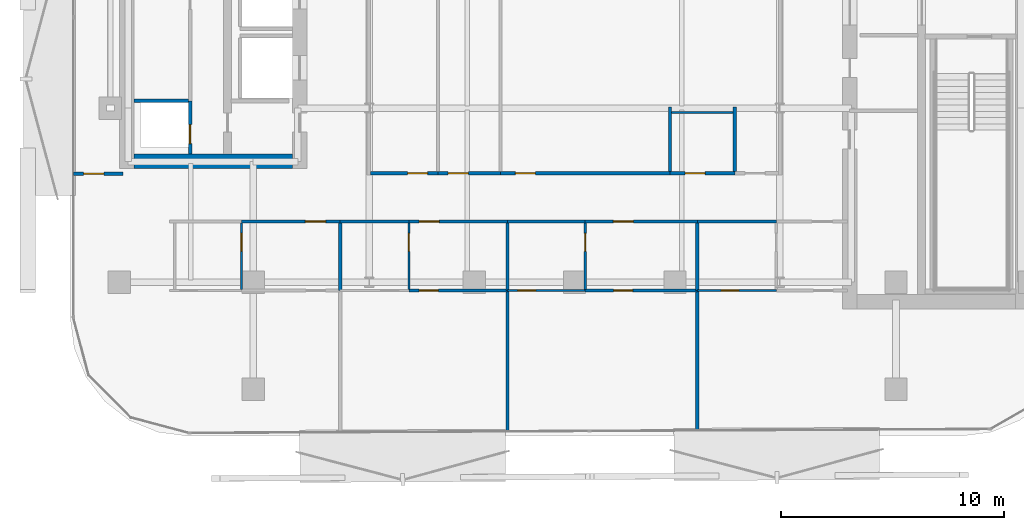
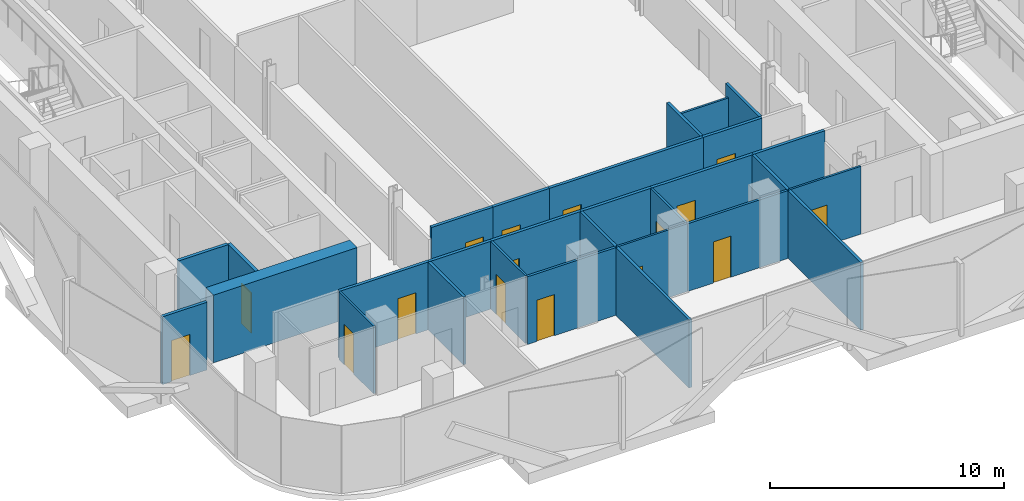
# One storey, part 3 of 17: 29 walls, 16 doors, 16 openings.
"""IFC4 building model written with IfcOpenShell, lengths in metres."""

from ifc_helpers import new_model, si_unit, direction, frame, frame_2d, origin, place, context, subcontext, project, spatial, rectangle, extrude, material, layer, layer_set, type_object, element, fill, save


model = new_model("IFC4")

# Units and contexts
model_context = context("Model", 3, precision=1e-05, world=origin(), true_north=direction((0.0, 1.0)))
body_context = subcontext(model_context, "Body", "Model", "MODEL_VIEW")
ifc_project = project(units=[si_unit("LENGTHUNIT", "METRE"), si_unit("AREAUNIT", "SQUARE_METRE"), si_unit("VOLUMEUNIT", "CUBIC_METRE"), si_unit("PLANEANGLEUNIT", "RADIAN"), si_unit("MASSUNIT", "GRAM", prefix="KILO")], contexts=[model_context])

# Site, building, storey
site_placement = place(None, origin())
site = spatial("IfcSite", under=ifc_project, at=site_placement, CompositionType="ELEMENT")
building_placement = place(site_placement, origin())
building = spatial("IfcBuilding", under=site, at=building_placement, Name="Khairoan Windgate Tower", CompositionType="ELEMENT")
storey_placement = place(building_placement, frame((0.0, 0.0, 191.60009765625)))
storey = spatial("IfcBuildingStorey", under=building, at=storey_placement, Name="L44", CompositionType="ELEMENT", Elevation=191.60009765625)

# Wall, opening, door
ifc_material_1 = material(Name="Moisture-Resistant Gypsum Partition", Category="gypsum")
ifc_layer_1 = layer(ifc_material_1, 0.10009765625, Name="Moisture-Resistant Gypsum Partition")
ifc_layer_set_1 = layer_set([ifc_layer_1], Name="Moisture-Resistant Gypsum Partition")
wall_type_1 = type_object("IfcWallType", Name="Bathroom Wet-Area Partition Wall", PredefinedType="PARTITIONING", material=ifc_layer_set_1)
wall_1_placement = place(storey_placement, frame((-14.924072265625, -18.919921875, 0.0), z_axis=(0.0, 0.0, 1.0), x_axis=(0.0, 1.0, 0.0)))
wall_1 = element("IfcWall", 1, at=wall_1_placement, inside=storey, type_object=wall_type_1, Name="L44 Interior Partition 077", PredefinedType="PARTITIONING", context=body_context, shape_type="SweptSolid", body=[
    extrude(rectangle(XDim=2.96484375, YDim=0.10009765625, at=frame_2d((1.482421875, 0.0))), origin(), (0.0, 0.0, 1.0), 3.539794921875),
])
opening_1_placement = place(wall_1_placement, frame((1.705078125, 0.0, 0.0)))
opening_1 = element("IfcOpeningElement", 2, at=opening_1_placement, cuts=wall_1, Name="Opening ID-BTH", PredefinedType="OPENING", context=body_context, shape_type="SweptSolid", body=[
    extrude(rectangle(XDim=0.800048828125, YDim=2.10009765625, at=frame_2d((0.39990234375, 1.050048828125))), frame((0.0, 0.06005859375, 0.0), z_axis=(0.0, -1.0, 0.0), x_axis=(1.0, 0.0, 0.0)), (0.0, 0.0, 1.0), 0.1201171875),
])
ifc_material_2 = material(Name="Teak Veneer Timber Leaf", Category="wood")
door_type_1 = type_object("IfcDoorType", Name="Internal Bathroom Door ID-BTH 800x2100", OperationType="NOTDEFINED", PredefinedType="DOOR", material=ifc_material_2)
door_1_placement = place(opening_1_placement, origin())
door_1 = element("IfcDoor", 3, at=door_1_placement, inside=storey, type_object=door_type_1, Name="L44 L44-54-L44-55 Door", OperationType="SINGLE_SWING_LEFT", OverallHeight=2.10009765625, OverallWidth=0.800048828125, PredefinedType="DOOR", context=body_context, shape_type="SweptSolid", body=[
    extrude(rectangle(XDim=0.800048828125, YDim=2.10009765625, at=frame_2d((0.39990234375, 1.050048828125))), frame((0.0, 0.02490234375, 0.0), z_axis=(0.0, -1.0, 0.0), x_axis=(1.0, 0.0, 0.0)), (0.0, 0.0, 1.0), 0.050048828125),
])
fill(opening_1, door_1)

wall_2_placement = place(storey_placement, frame((-7.424072265625, -18.919921875, 0.0), z_axis=(0.0, 0.0, 1.0), x_axis=(0.0, 1.0, 0.0)))
wall_2 = element("IfcWall", 4, at=wall_2_placement, inside=storey, type_object=wall_type_1, Name="L44 Interior Partition 082", PredefinedType="PARTITIONING", context=body_context, shape_type="SweptSolid", body=[
    extrude(rectangle(XDim=2.96484375, YDim=0.10009765625, at=frame_2d((1.482421875, 0.0))), origin(), (0.0, 0.0, 1.0), 3.539794921875),
])
opening_2_placement = place(wall_2_placement, frame((1.705078125, 0.0, 0.0)))
opening_2 = element("IfcOpeningElement", 5, at=opening_2_placement, cuts=wall_2, Name="Opening ID-BTH", PredefinedType="OPENING", context=body_context, shape_type="SweptSolid", body=[
    extrude(rectangle(XDim=0.800048828125, YDim=2.10009765625, at=frame_2d((0.39990234375, 1.050048828125))), frame((0.0, 0.06005859375, 0.0), z_axis=(0.0, -1.0, 0.0), x_axis=(1.0, 0.0, 0.0)), (0.0, 0.0, 1.0), 0.1201171875),
])
door_2_placement = place(opening_2_placement, origin())
door_2 = element("IfcDoor", 6, at=door_2_placement, inside=storey, type_object=door_type_1, Name="L44 L44-57-L44-58 Door", OperationType="SINGLE_SWING_RIGHT", OverallHeight=2.10009765625, OverallWidth=0.800048828125, PredefinedType="DOOR", context=body_context, shape_type="SweptSolid", body=[
    extrude(rectangle(XDim=0.800048828125, YDim=2.10009765625, at=frame_2d((0.39990234375, 1.050048828125))), frame((0.0, 0.02490234375, 0.0), z_axis=(0.0, -1.0, 0.0), x_axis=(1.0, 0.0, 0.0)), (0.0, 0.0, 1.0), 0.050048828125),
])
fill(opening_2, door_2)

wall_3_placement = place(storey_placement, frame((0.47607421875, -18.919921875, 0.0), z_axis=(0.0, 0.0, 1.0), x_axis=(0.0, 1.0, 0.0)))
wall_3 = element("IfcWall", 7, at=wall_3_placement, inside=storey, type_object=wall_type_1, Name="L44 Interior Partition 087", PredefinedType="PARTITIONING", context=body_context, shape_type="SweptSolid", body=[
    extrude(rectangle(XDim=2.96484375, YDim=0.10009765625, at=frame_2d((1.482421875, 0.0))), origin(), (0.0, 0.0, 1.0), 3.539794921875),
])
opening_3_placement = place(wall_3_placement, frame((1.705078125, 0.0, 0.0)))
opening_3 = element("IfcOpeningElement", 8, at=opening_3_placement, cuts=wall_3, Name="Opening ID-BTH", PredefinedType="OPENING", context=body_context, shape_type="SweptSolid", body=[
    extrude(rectangle(XDim=0.800048828125, YDim=2.10009765625, at=frame_2d((0.39990234375, 1.050048828125))), frame((0.0, 0.06005859375, 0.0), z_axis=(0.0, -1.0, 0.0), x_axis=(1.0, 0.0, 0.0)), (0.0, 0.0, 1.0), 0.1201171875),
])
door_3_placement = place(opening_3_placement, origin())
door_3 = element("IfcDoor", 9, at=door_3_placement, inside=storey, type_object=door_type_1, Name="L44 L44-60-L44-61 Door", OperationType="SINGLE_SWING_LEFT", OverallHeight=2.10009765625, OverallWidth=0.800048828125, PredefinedType="DOOR", context=body_context, shape_type="SweptSolid", body=[
    extrude(rectangle(XDim=0.800048828125, YDim=2.10009765625, at=frame_2d((0.39990234375, 1.050048828125))), frame((0.0, 0.02490234375, 0.0), z_axis=(0.0, -1.0, 0.0), x_axis=(1.0, 0.0, 0.0)), (0.0, 0.0, 1.0), 0.050048828125),
])
fill(opening_3, door_3)

wall_4_placement = place(storey_placement, frame((-3.0, -18.969970703125, 0.0), z_axis=(0.0, 0.0, 1.0), x_axis=(1.0, 0.0, 0.0)))
wall_4 = element("IfcWall", 10, at=wall_4_placement, inside=storey, type_object=wall_type_1, Name="L44 Interior Partition 088", PredefinedType="PARTITIONING", context=body_context, shape_type="SweptSolid", body=[
    extrude(rectangle(XDim=3.47607421875, YDim=0.10009765625, at=frame_2d((1.738037109375, 0.0))), origin(), (0.0, 0.0, 1.0), 3.539794921875),
])
opening_4_placement = place(wall_4_placement, frame((0.4599609375, 0.0, 0.0)))
opening_4 = element("IfcOpeningElement", 11, at=opening_4_placement, cuts=wall_4, Name="Opening ID-BTH", PredefinedType="OPENING", context=body_context, shape_type="SweptSolid", body=[
    extrude(rectangle(XDim=0.800048828125, YDim=2.10009765625, at=frame_2d((0.39990234375, 1.050048828125))), frame((0.0, 0.06005859375, 0.0), z_axis=(0.0, -1.0, 0.0), x_axis=(1.0, 0.0, 0.0)), (0.0, 0.0, 1.0), 0.1201171875),
])
door_4_placement = place(opening_4_placement, origin())
door_4 = element("IfcDoor", 12, at=door_4_placement, inside=storey, type_object=door_type_1, Name="L44 L44-60-L44-62 Door", OperationType="SINGLE_SWING_RIGHT", OverallHeight=2.10009765625, OverallWidth=0.800048828125, PredefinedType="DOOR", context=body_context, shape_type="SweptSolid", body=[
    extrude(rectangle(XDim=0.800048828125, YDim=2.10009765625, at=frame_2d((0.39990234375, 1.050048828125))), frame((0.0, 0.02490234375, 0.0), z_axis=(0.0, -1.0, 0.0), x_axis=(1.0, 0.0, 0.0)), (0.0, 0.0, 1.0), 0.050048828125),
])
fill(opening_4, door_4)

wall_5_placement = place(storey_placement, frame((5.5, -18.969970703125, 0.0), z_axis=(0.0, 0.0, 1.0), x_axis=(1.0, 0.0, 0.0)))
wall_5 = element("IfcWall", 13, at=wall_5_placement, inside=storey, type_object=wall_type_1, Name="L44 Interior Partition 093", PredefinedType="PARTITIONING", context=body_context, shape_type="SweptSolid", body=[
    extrude(rectangle(XDim=3.5400390625, YDim=0.10009765625, at=frame_2d((1.77001953125, 0.0))), origin(), (0.0, 0.0, 1.0), 3.539794921875),
])
opening_5_placement = place(wall_5_placement, frame((1.066650390625, 0.0, 0.0)))
opening_5 = element("IfcOpeningElement", 14, at=opening_5_placement, cuts=wall_5, Name="Opening ID-BTH", PredefinedType="OPENING", context=body_context, shape_type="SweptSolid", body=[
    extrude(rectangle(XDim=0.800048828125, YDim=2.10009765625, at=frame_2d((0.39990234375, 1.050048828125))), frame((0.0, 0.06005859375, 0.0), z_axis=(0.0, -1.0, 0.0), x_axis=(1.0, 0.0, 0.0)), (0.0, 0.0, 1.0), 0.1201171875),
])
door_5_placement = place(opening_5_placement, origin())
door_5 = element("IfcDoor", 15, at=door_5_placement, inside=storey, type_object=door_type_1, Name="L44 L44-63-L44-65 Door", OperationType="SINGLE_SWING_LEFT", OverallHeight=2.10009765625, OverallWidth=0.800048828125, PredefinedType="DOOR", context=body_context, shape_type="SweptSolid", body=[
    extrude(rectangle(XDim=0.800048828125, YDim=2.10009765625, at=frame_2d((0.39990234375, 1.050048828125))), frame((0.0, 0.02490234375, 0.0), z_axis=(0.0, -1.0, 0.0), x_axis=(1.0, 0.0, 0.0)), (0.0, 0.0, 1.0), 0.050048828125),
])
fill(opening_5, door_5)

# Walls
wall_6_placement = place(storey_placement, frame((4.35009765625, -11.0, 0.0), z_axis=(0.0, 0.0, 1.0), x_axis=(1.0, 0.0, 0.0)))
element("IfcWall", 16, at=wall_6_placement, inside=storey, type_object=wall_type_1, Name="L44 Wet Room Side Wall 097", PredefinedType="PARTITIONING", context=body_context, shape_type="SweptSolid", body=[
    extrude(rectangle(XDim=2.760009765625, YDim=0.10009765625, at=frame_2d((1.3798828125, 0.0))), origin(), (0.0, 0.0, 1.0), 2.951904296875),
])
ifc_material_3 = material(Name="Acoustic Fire-Rated Gypsum Partition", Category="gypsum")
ifc_layer_2 = layer(ifc_material_3, 0.139892578125, Name="Acoustic Fire-Rated Gypsum Partition")
ifc_layer_set_2 = layer_set([ifc_layer_2], Name="Acoustic Fire-Rated Gypsum Partition")
wall_type_2 = type_object("IfcWallType", Name="Inter-Tenancy Compartment Wall", PredefinedType="PARTITIONING", material=ifc_layer_set_2)
for number, where, z_axis, x_axis, name in (
    (17, (4.280029296875, -13.64501953125, 0.0), (0.0, 0.0, 1.0), (0.0, 1.0, 0.0), "L44 Interior Partition 048"),
    (18, (7.179931640625, -13.64501953125, 0.0), (0.0, 0.0, 1.0), (0.0, 1.0, 0.0), "L44 Interior Partition 051"),
):
    element("IfcWall", number, at=place(storey_placement, frame(where, z_axis=z_axis, x_axis=x_axis)), inside=storey, type_object=wall_type_2, Name=name, PredefinedType="PARTITIONING", context=body_context, shape_type="SweptSolid", body=[
        extrude(rectangle(XDim=2.885009765625, YDim=0.139892578125, at=frame_2d((1.4423828125, 0.0))), origin(), (0.0, 0.0, 1.0), 3.539794921875),
    ])
for number, where, z_axis, x_axis, name in (
    (19, (-10.5, -18.969970703125, 0.0), (0.0, 0.0, 1.0), (0.0, 1.0, 0.0), "L44 Interior Partition 080"),
    (20, (-3.0, -18.969970703125, 0.0), (0.0, 0.0, 1.0), (0.0, 1.0, 0.0), "L44 Interior Partition 085"),
):
    element("IfcWall", number, at=place(storey_placement, frame(where, z_axis=z_axis, x_axis=x_axis)), inside=storey, type_object=wall_type_2, Name=name, PredefinedType="PARTITIONING", context=body_context, shape_type="SweptSolid", body=[
        extrude(rectangle(XDim=3.014892578125, YDim=0.139892578125, at=frame_2d((1.50732421875, 0.0))), origin(), (0.0, 0.0, 1.0), 3.539794921875),
    ])
wall_7_placement = place(storey_placement, frame((-3.0, -25.28466796875, 0.0), z_axis=(0.0, 0.0, 1.0), x_axis=(0.0, 1.0, 0.0)))
element("IfcWall", 21, at=wall_7_placement, inside=storey, type_object=wall_type_2, Name="L44 Interior Partition 086", PredefinedType="PARTITIONING", context=body_context, shape_type="SweptSolid", body=[
    extrude(rectangle(XDim=6.314697265625, YDim=0.139892578125, at=frame_2d((3.1572265625, 0.0))), origin(), (0.0, 0.0, 1.0), 3.539794921875),
])
wall_8_placement = place(storey_placement, frame((5.5, -18.969970703125, 0.0), z_axis=(0.0, 0.0, 1.0), x_axis=(0.0, 1.0, 0.0)))
element("IfcWall", 22, at=wall_8_placement, inside=storey, type_object=wall_type_2, Name="L44 Interior Partition 090", PredefinedType="PARTITIONING", context=body_context, shape_type="SweptSolid", body=[
    extrude(rectangle(XDim=3.014892578125, YDim=0.139892578125, at=frame_2d((1.50732421875, 0.0))), origin(), (0.0, 0.0, 1.0), 3.539794921875),
])
wall_9_placement = place(storey_placement, frame((5.5, -25.24267578125, 0.0), z_axis=(0.0, 0.0, 1.0), x_axis=(0.0, 1.0, 0.0)))
element("IfcWall", 23, at=wall_9_placement, inside=storey, type_object=wall_type_2, Name="L44 Interior Partition 091", PredefinedType="PARTITIONING", context=body_context, shape_type="SweptSolid", body=[
    extrude(rectangle(XDim=6.272705078125, YDim=0.139892578125, at=frame_2d((3.13623046875, 0.0))), origin(), (0.0, 0.0, 1.0), 3.539794921875),
])

# Wall, opening, door
ifc_material_4 = material(Name="Gypsum Stud Partition", Category="gypsum")
ifc_layer_3 = layer(ifc_material_4, 0.1201171875, Name="Gypsum Stud Partition")
ifc_layer_set_3 = layer_set([ifc_layer_3], Name="Gypsum Stud Partition")
wall_type_3 = type_object("IfcWallType", Name="Internal Room Partition Wall", PredefinedType="PARTITIONING", material=ifc_layer_set_3)
wall_10_placement = place(storey_placement, frame((-7.424072265625, -18.969970703125, 0.0), z_axis=(0.0, 0.0, 1.0), x_axis=(1.0, 0.0, 0.0)))
wall_10 = element("IfcWall", 24, at=wall_10_placement, inside=storey, type_object=wall_type_3, Name="L44 Interior Partition 084", PredefinedType="PARTITIONING", context=body_context, shape_type="SweptSolid", body=[
    extrude(rectangle(XDim=4.424072265625, YDim=0.1201171875, at=frame_2d((2.2119140625, 0.0))), origin(), (0.0, 0.0, 1.0), 3.539794921875),
])
opening_6_placement = place(wall_10_placement, frame((0.4599609375, 0.0, 0.0)))
opening_6 = element("IfcOpeningElement", 25, at=opening_6_placement, cuts=wall_10, Name="Opening ID-RM", PredefinedType="OPENING", context=body_context, shape_type="SweptSolid", body=[
    extrude(rectangle(XDim=0.860107421875, YDim=2.14990234375, at=frame_2d((0.43017578125, 1.074951171875))), frame((0.0, 0.070068359375, 0.0), z_axis=(0.0, -1.0, 0.0), x_axis=(1.0, 0.0, 0.0)), (0.0, 0.0, 1.0), 0.14013671875),
])
ifc_material_5 = material(Name="Teak Veneer Timber Leaf", Category="wood")
door_type_2 = type_object("IfcDoorType", Name="Internal Bedroom and Office Door ID-RM 860x2150", OperationType="NOTDEFINED", PredefinedType="DOOR", material=ifc_material_5)
door_6_placement = place(opening_6_placement, origin())
door_6 = element("IfcDoor", 26, at=door_6_placement, inside=storey, type_object=door_type_2, Name="L44 L44-58-L44-59 Door", OperationType="SINGLE_SWING_RIGHT", OverallHeight=2.14990234375, OverallWidth=0.860107421875, PredefinedType="DOOR", context=body_context, shape_type="SweptSolid", body=[
    extrude(rectangle(XDim=0.860107421875, YDim=2.14990234375, at=frame_2d((0.43017578125, 1.074951171875))), frame((0.0, 0.02490234375, 0.0), z_axis=(0.0, -1.0, 0.0), x_axis=(1.0, 0.0, 0.0)), (0.0, 0.0, 1.0), 0.050048828125),
])
fill(opening_6, door_6)

wall_11_placement = place(storey_placement, frame((0.47607421875, -18.969970703125, 0.0), z_axis=(0.0, 0.0, 1.0), x_axis=(1.0, 0.0, 0.0)))
wall_11 = element("IfcWall", 27, at=wall_11_placement, inside=storey, type_object=wall_type_3, Name="L44 Interior Partition 089", PredefinedType="PARTITIONING", context=body_context, shape_type="SweptSolid", body=[
    extrude(rectangle(XDim=5.02392578125, YDim=0.1201171875, at=frame_2d((2.511962890625, 0.0))), origin(), (0.0, 0.0, 1.0), 3.539794921875),
])
opening_7_placement = place(wall_11_placement, frame((1.27099609375, 0.0, 0.0)))
opening_7 = element("IfcOpeningElement", 28, at=opening_7_placement, cuts=wall_11, Name="Opening ID-RM", PredefinedType="OPENING", context=body_context, shape_type="SweptSolid", body=[
    extrude(rectangle(XDim=0.860107421875, YDim=2.14990234375, at=frame_2d((0.43017578125, 1.074951171875))), frame((0.0, 0.070068359375, 0.0), z_axis=(0.0, -1.0, 0.0), x_axis=(1.0, 0.0, 0.0)), (0.0, 0.0, 1.0), 0.14013671875),
])
door_7_placement = place(opening_7_placement, origin())
door_7 = element("IfcDoor", 29, at=door_7_placement, inside=storey, type_object=door_type_2, Name="L44 L44-61-L44-62 Door", OperationType="SINGLE_SWING_LEFT", OverallHeight=2.14990234375, OverallWidth=0.860107421875, PredefinedType="DOOR", context=body_context, shape_type="SweptSolid", body=[
    extrude(rectangle(XDim=0.860107421875, YDim=2.14990234375, at=frame_2d((0.43017578125, 1.074951171875))), frame((0.0, 0.02490234375, 0.0), z_axis=(0.0, -1.0, 0.0), x_axis=(1.0, 0.0, 0.0)), (0.0, 0.0, 1.0), 0.050048828125),
])
fill(opening_7, door_7)

ifc_material_6 = material(Name="Concrete C40/50", Category="concrete")
ifc_layer_4 = layer(ifc_material_6, 0.159912109375, Name="Concrete C40/50")
ifc_layer_set_4 = layer_set([ifc_layer_4], Name="Concrete C40/50")
wall_type_4 = type_object("IfcWallType", Name="Plant and Refuge Compartment Wall", PredefinedType="PARTITIONING", material=ifc_layer_set_4)
wall_12_placement = place(storey_placement, frame((-17.22998046875, -12.85009765625, 0.0), z_axis=(0.0, 0.0, 1.0), x_axis=(0.0, 1.0, 0.0)))
wall_12 = element("IfcWall", 30, at=wall_12_placement, inside=storey, type_object=wall_type_4, Name="L44 Interior Partition 001", PredefinedType="PARTITIONING", context=body_context, shape_type="SweptSolid", body=[
    extrude(rectangle(XDim=2.380126953125, YDim=0.159912109375, at=frame_2d((1.18994140625, 0.0))), origin(), (0.0, 0.0, 1.0), 3.539794921875),
])
opening_8_placement = place(wall_12_placement, frame((0.4599609375, 0.0, 0.0)))
opening_8 = element("IfcOpeningElement", 31, at=opening_8_placement, cuts=wall_12, Name="Opening FD-SRV", PredefinedType="OPENING", context=body_context, shape_type="SweptSolid", body=[
    extrude(rectangle(XDim=0.85009765625, YDim=2.10009765625, at=frame_2d((0.425048828125, 1.050048828125))), frame((0.0, 0.08984375, 0.0), z_axis=(0.0, -1.0, 0.0), x_axis=(1.0, 0.0, 0.0)), (0.0, 0.0, 1.0), 0.179931640625),
])
ifc_material_7 = material(Name="Steel S355", Category="steel")
door_type_3 = type_object("IfcDoorType", Name="Core Service and Riser Fire Door FD-SRV 850x2100", OperationType="NOTDEFINED", PredefinedType="DOOR", material=ifc_material_7)
door_8_placement = place(opening_8_placement, origin())
door_8 = element("IfcDoor", 32, at=door_8_placement, inside=storey, type_object=door_type_3, Name="L44 L44-04-L44-05 Door", OperationType="SINGLE_SWING_LEFT", OverallHeight=2.10009765625, OverallWidth=0.85009765625, PredefinedType="DOOR", context=body_context, shape_type="SweptSolid", body=[
    extrude(rectangle(XDim=0.85009765625, YDim=2.10009765625, at=frame_2d((0.425048828125, 1.050048828125))), frame((0.0, 0.02490234375, 0.0), z_axis=(0.0, -1.0, 0.0), x_axis=(1.0, 0.0, 0.0)), (0.0, 0.0, 1.0), 0.050048828125),
])
fill(opening_8, door_8)

# Wall
wall_13_placement = place(storey_placement, frame((-19.75, -10.469970703125, 0.0), z_axis=(0.0, 0.0, 1.0), x_axis=(1.0, 0.0, 0.0)))
element("IfcWall", 33, at=wall_13_placement, inside=storey, type_object=wall_type_4, Name="L44 Interior Partition 003", PredefinedType="PARTITIONING", context=body_context, shape_type="SweptSolid", body=[
    extrude(rectangle(XDim=2.43994140625, YDim=0.159912109375, at=frame_2d((1.219970703125, 0.0))), origin(), (0.0, 0.0, 1.0), 3.539794921875),
])

# Wall, opening, door
ifc_material_8 = material(Name="Acoustic Fire-Rated Gypsum Partition", Category="gypsum")
ifc_layer_5 = layer(ifc_material_8, 0.14990234375, Name="Acoustic Fire-Rated Gypsum Partition")
ifc_layer_set_5 = layer_set([ifc_layer_5], Name="Acoustic Fire-Rated Gypsum Partition")
wall_type_5 = type_object("IfcWallType", Name="Rated Corridor Partition Wall", PredefinedType="PARTITIONING", material=ifc_layer_set_5)
wall_14_placement = place(storey_placement, frame((-9.14501953125, -13.719970703125, 0.0), z_axis=(0.0, 0.0, 1.0), x_axis=(1.0, 0.0, 0.0)))
wall_14 = element("IfcWall", 34, at=wall_14_placement, inside=storey, type_object=wall_type_5, Name="L44 Interior Partition 030", PredefinedType="PARTITIONING", context=body_context, shape_type="SweptSolid", body=[
    extrude(rectangle(XDim=3.02490234375, YDim=0.14990234375, at=frame_2d((1.512451171875, 0.0))), origin(), (0.0, 0.0, 1.0), 3.539794921875),
])
opening_9_placement = place(wall_14_placement, frame((1.6650390625, 0.0, 0.0)))
opening_9 = element("IfcOpeningElement", 35, at=opening_9_placement, cuts=wall_14, Name="Opening FD-ENT", PredefinedType="OPENING", context=body_context, shape_type="SweptSolid", body=[
    extrude(rectangle(XDim=0.89990234375, YDim=2.14990234375, at=frame_2d((0.449951171875, 1.074951171875))), frame((0.0, 0.0849609375, 0.0), z_axis=(0.0, -1.0, 0.0), x_axis=(1.0, 0.0, 0.0)), (0.0, 0.0, 1.0), 0.169921875),
])
ifc_material_9 = material(Name="Timber Fire-Rated Core", Category="wood")
door_type_4 = type_object("IfcDoorType", Name="Unit and Office Fire Entrance Door FD-ENT 900x2150", OperationType="NOTDEFINED", PredefinedType="DOOR", material=ifc_material_9)
door_9_placement = place(opening_9_placement, origin())
door_9 = element("IfcDoor", 36, at=door_9_placement, inside=storey, type_object=door_type_4, Name="L44 L44-31-L44-32 Door", OperationType="SINGLE_SWING_RIGHT", OverallHeight=2.14990234375, OverallWidth=0.89990234375, PredefinedType="DOOR", context=body_context, shape_type="SweptSolid", body=[
    extrude(rectangle(XDim=0.89990234375, YDim=2.14990234375, at=frame_2d((0.449951171875, 1.074951171875))), frame((0.0, 0.02490234375, 0.0), z_axis=(0.0, -1.0, 0.0), x_axis=(1.0, 0.0, 0.0)), (0.0, 0.0, 1.0), 0.050048828125),
])
fill(opening_9, door_9)

wall_15_placement = place(storey_placement, frame((-6.1201171875, -13.719970703125, 0.0), z_axis=(0.0, 0.0, 1.0), x_axis=(1.0, 0.0, 0.0)))
wall_15 = element("IfcWall", 37, at=wall_15_placement, inside=storey, type_object=wall_type_5, Name="L44 Interior Partition 031", PredefinedType="PARTITIONING", context=body_context, shape_type="SweptSolid", body=[
    extrude(rectangle(XDim=2.800048828125, YDim=0.14990234375, at=frame_2d((1.39990234375, 0.0))), origin(), (0.0, 0.0, 1.0), 3.539794921875),
])
opening_10_placement = place(wall_15_placement, frame((0.4599609375, 0.0, 0.0)))
opening_10 = element("IfcOpeningElement", 38, at=opening_10_placement, cuts=wall_15, Name="Opening FD-ENT", PredefinedType="OPENING", context=body_context, shape_type="SweptSolid", body=[
    extrude(rectangle(XDim=0.89990234375, YDim=2.14990234375, at=frame_2d((0.449951171875, 1.074951171875))), frame((0.0, 0.0849609375, 0.0), z_axis=(0.0, -1.0, 0.0), x_axis=(1.0, 0.0, 0.0)), (0.0, 0.0, 1.0), 0.169921875),
])
door_10_placement = place(opening_10_placement, origin())
door_10 = element("IfcDoor", 39, at=door_10_placement, inside=storey, type_object=door_type_4, Name="L44 L44-31-L44-33 Door", OperationType="SINGLE_SWING_LEFT", OverallHeight=2.14990234375, OverallWidth=0.89990234375, PredefinedType="DOOR", context=body_context, shape_type="SweptSolid", body=[
    extrude(rectangle(XDim=0.89990234375, YDim=2.14990234375, at=frame_2d((0.449951171875, 1.074951171875))), frame((0.0, 0.02490234375, 0.0), z_axis=(0.0, -1.0, 0.0), x_axis=(1.0, 0.0, 0.0)), (0.0, 0.0, 1.0), 0.050048828125),
])
fill(opening_10, door_10)

wall_16_placement = place(storey_placement, frame((-3.320068359375, -13.719970703125, 0.0), z_axis=(0.0, 0.0, 1.0), x_axis=(1.0, 0.0, 0.0)))
wall_16 = element("IfcWall", 40, at=wall_16_placement, inside=storey, type_object=wall_type_5, Name="L44 Interior Partition 032", PredefinedType="PARTITIONING", context=body_context, shape_type="SweptSolid", body=[
    extrude(rectangle(XDim=7.60009765625, YDim=0.14990234375, at=frame_2d((3.800048828125, 0.0))), origin(), (0.0, 0.0, 1.0), 3.539794921875),
])
opening_11_placement = place(wall_16_placement, frame((0.66650390625, 0.0, 0.0)))
opening_11 = element("IfcOpeningElement", 41, at=opening_11_placement, cuts=wall_16, Name="Opening FD-ENT", PredefinedType="OPENING", context=body_context, shape_type="SweptSolid", body=[
    extrude(rectangle(XDim=0.89990234375, YDim=2.14990234375, at=frame_2d((0.449951171875, 1.074951171875))), frame((0.0, 0.0849609375, 0.0), z_axis=(0.0, -1.0, 0.0), x_axis=(1.0, 0.0, 0.0)), (0.0, 0.0, 1.0), 0.169921875),
])
door_11_placement = place(opening_11_placement, origin())
door_11 = element("IfcDoor", 42, at=door_11_placement, inside=storey, type_object=door_type_4, Name="L44 L44-31-L44-34 Door", OperationType="SINGLE_SWING_RIGHT", OverallHeight=2.14990234375, OverallWidth=0.89990234375, PredefinedType="DOOR", context=body_context, shape_type="SweptSolid", body=[
    extrude(rectangle(XDim=0.89990234375, YDim=2.14990234375, at=frame_2d((0.449951171875, 1.074951171875))), frame((0.0, 0.02490234375, 0.0), z_axis=(0.0, -1.0, 0.0), x_axis=(1.0, 0.0, 0.0)), (0.0, 0.0, 1.0), 0.050048828125),
])
fill(opening_11, door_11)

wall_17_placement = place(storey_placement, frame((4.280029296875, -13.719970703125, 0.0), z_axis=(0.0, 0.0, 1.0), x_axis=(1.0, 0.0, 0.0)))
wall_17 = element("IfcWall", 43, at=wall_17_placement, inside=storey, type_object=wall_type_5, Name="L44 Interior Partition 033", PredefinedType="PARTITIONING", context=body_context, shape_type="SweptSolid", body=[
    extrude(rectangle(XDim=2.89990234375, YDim=0.14990234375, at=frame_2d((1.449951171875, 0.0))), origin(), (0.0, 0.0, 1.0), 3.539794921875),
])
opening_12_placement = place(wall_17_placement, frame((0.676025390625, 0.0, 0.0)))
opening_12 = element("IfcOpeningElement", 44, at=opening_12_placement, cuts=wall_17, Name="Opening FD-ENT", PredefinedType="OPENING", context=body_context, shape_type="SweptSolid", body=[
    extrude(rectangle(XDim=0.89990234375, YDim=2.14990234375, at=frame_2d((0.449951171875, 1.074951171875))), frame((0.0, 0.0849609375, 0.0), z_axis=(0.0, -1.0, 0.0), x_axis=(1.0, 0.0, 0.0)), (0.0, 0.0, 1.0), 0.169921875),
])
door_12_placement = place(opening_12_placement, origin())
door_12 = element("IfcDoor", 45, at=door_12_placement, inside=storey, type_object=door_type_4, Name="L44 L44-31-L44-35 Door", OperationType="SINGLE_SWING_LEFT", OverallHeight=2.14990234375, OverallWidth=0.89990234375, PredefinedType="DOOR", context=body_context, shape_type="SweptSolid", body=[
    extrude(rectangle(XDim=0.89990234375, YDim=2.14990234375, at=frame_2d((0.449951171875, 1.074951171875))), frame((0.0, 0.02490234375, 0.0), z_axis=(0.0, -1.0, 0.0), x_axis=(1.0, 0.0, 0.0)), (0.0, 0.0, 1.0), 0.050048828125),
])
fill(opening_12, door_12)

wall_18_placement = place(storey_placement, frame((-14.924072265625, -15.8798828125, 0.0), z_axis=(0.0, 0.0, 1.0), x_axis=(1.0, 0.0, 0.0)))
wall_18 = element("IfcWall", 46, at=wall_18_placement, inside=storey, type_object=wall_type_5, Name="L44 Interior Partition 036", PredefinedType="PARTITIONING", context=body_context, shape_type="SweptSolid", body=[
    extrude(rectangle(XDim=4.424072265625, YDim=0.14990234375, at=frame_2d((2.2119140625, 0.0))), origin(), (0.0, 0.0, 1.0), 3.539794921875),
])
opening_13_placement = place(wall_18_placement, frame((2.86376953125, 0.0, 0.0)))
opening_13 = element("IfcOpeningElement", 47, at=opening_13_placement, cuts=wall_18, Name="Opening FD-ENT", PredefinedType="OPENING", context=body_context, shape_type="SweptSolid", body=[
    extrude(rectangle(XDim=0.89990234375, YDim=2.14990234375, at=frame_2d((0.449951171875, 1.074951171875))), frame((0.0, 0.0849609375, 0.0), z_axis=(0.0, -1.0, 0.0), x_axis=(1.0, 0.0, 0.0)), (0.0, 0.0, 1.0), 0.169921875),
])
door_13_placement = place(opening_13_placement, origin())
door_13 = element("IfcDoor", 48, at=door_13_placement, inside=storey, type_object=door_type_4, Name="L44 L44-31-L44-55 Door", OperationType="SINGLE_SWING_LEFT", OverallHeight=2.14990234375, OverallWidth=0.89990234375, PredefinedType="DOOR", context=body_context, shape_type="SweptSolid", body=[
    extrude(rectangle(XDim=0.89990234375, YDim=2.14990234375, at=frame_2d((0.449951171875, 1.074951171875))), frame((0.0, 0.02490234375, 0.0), z_axis=(0.0, -1.0, 0.0), x_axis=(1.0, 0.0, 0.0)), (0.0, 0.0, 1.0), 0.050048828125),
])
fill(opening_13, door_13)

# Wall
wall_19_placement = place(storey_placement, frame((-10.5, -15.8798828125, 0.0), z_axis=(0.0, 0.0, 1.0), x_axis=(1.0, 0.0, 0.0)))
element("IfcWall", 49, at=wall_19_placement, inside=storey, type_object=wall_type_5, Name="L44 Interior Partition 037", PredefinedType="PARTITIONING", context=body_context, shape_type="SweptSolid", body=[
    extrude(rectangle(XDim=3.075927734375, YDim=0.14990234375, at=frame_2d((1.5380859375, 0.0))), origin(), (0.0, 0.0, 1.0), 3.539794921875),
])

# Wall, opening, door
wall_20_placement = place(storey_placement, frame((-7.424072265625, -15.8798828125, 0.0), z_axis=(0.0, 0.0, 1.0), x_axis=(1.0, 0.0, 0.0)))
wall_20 = element("IfcWall", 50, at=wall_20_placement, inside=storey, type_object=wall_type_5, Name="L44 Interior Partition 038", PredefinedType="PARTITIONING", context=body_context, shape_type="SweptSolid", body=[
    extrude(rectangle(XDim=4.424072265625, YDim=0.14990234375, at=frame_2d((2.2119140625, 0.0))), origin(), (0.0, 0.0, 1.0), 3.539794921875),
])
opening_14_placement = place(wall_20_placement, frame((0.4599609375, 0.0, 0.0)))
opening_14 = element("IfcOpeningElement", 51, at=opening_14_placement, cuts=wall_20, Name="Opening FD-ENT", PredefinedType="OPENING", context=body_context, shape_type="SweptSolid", body=[
    extrude(rectangle(XDim=0.89990234375, YDim=2.14990234375, at=frame_2d((0.449951171875, 1.074951171875))), frame((0.0, 0.0849609375, 0.0), z_axis=(0.0, -1.0, 0.0), x_axis=(1.0, 0.0, 0.0)), (0.0, 0.0, 1.0), 0.169921875),
])
door_14_placement = place(opening_14_placement, origin())
door_14 = element("IfcDoor", 52, at=door_14_placement, inside=storey, type_object=door_type_4, Name="L44 L44-31-L44-58 Door", OperationType="SINGLE_SWING_RIGHT", OverallHeight=2.14990234375, OverallWidth=0.89990234375, PredefinedType="DOOR", context=body_context, shape_type="SweptSolid", body=[
    extrude(rectangle(XDim=0.89990234375, YDim=2.14990234375, at=frame_2d((0.449951171875, 1.074951171875))), frame((0.0, 0.02490234375, 0.0), z_axis=(0.0, -1.0, 0.0), x_axis=(1.0, 0.0, 0.0)), (0.0, 0.0, 1.0), 0.050048828125),
])
fill(opening_14, door_14)

# Wall
wall_21_placement = place(storey_placement, frame((-3.0, -15.8798828125, 0.0), z_axis=(0.0, 0.0, 1.0), x_axis=(1.0, 0.0, 0.0)))
element("IfcWall", 53, at=wall_21_placement, inside=storey, type_object=wall_type_5, Name="L44 Interior Partition 039", PredefinedType="PARTITIONING", context=body_context, shape_type="SweptSolid", body=[
    extrude(rectangle(XDim=3.47607421875, YDim=0.14990234375, at=frame_2d((1.738037109375, 0.0))), origin(), (0.0, 0.0, 1.0), 3.539794921875),
])

# Wall, opening, door
wall_22_placement = place(storey_placement, frame((0.47607421875, -15.8798828125, 0.0), z_axis=(0.0, 0.0, 1.0), x_axis=(1.0, 0.0, 0.0)))
wall_22 = element("IfcWall", 54, at=wall_22_placement, inside=storey, type_object=wall_type_5, Name="L44 Interior Partition 040", PredefinedType="PARTITIONING", context=body_context, shape_type="SweptSolid", body=[
    extrude(rectangle(XDim=5.02392578125, YDim=0.14990234375, at=frame_2d((2.511962890625, 0.0))), origin(), (0.0, 0.0, 1.0), 3.539794921875),
])
opening_15_placement = place(wall_22_placement, frame((1.260986328125, 0.0, 0.0)))
opening_15 = element("IfcOpeningElement", 55, at=opening_15_placement, cuts=wall_22, Name="Opening FD-ENT", PredefinedType="OPENING", context=body_context, shape_type="SweptSolid", body=[
    extrude(rectangle(XDim=0.89990234375, YDim=2.14990234375, at=frame_2d((0.449951171875, 1.074951171875))), frame((0.0, 0.0849609375, 0.0), z_axis=(0.0, -1.0, 0.0), x_axis=(1.0, 0.0, 0.0)), (0.0, 0.0, 1.0), 0.169921875),
])
door_15_placement = place(opening_15_placement, origin())
door_15 = element("IfcDoor", 56, at=door_15_placement, inside=storey, type_object=door_type_4, Name="L44 L44-31-L44-61 Door", OperationType="SINGLE_SWING_LEFT", OverallHeight=2.14990234375, OverallWidth=0.89990234375, PredefinedType="DOOR", context=body_context, shape_type="SweptSolid", body=[
    extrude(rectangle(XDim=0.89990234375, YDim=2.14990234375, at=frame_2d((0.449951171875, 1.074951171875))), frame((0.0, 0.02490234375, 0.0), z_axis=(0.0, -1.0, 0.0), x_axis=(1.0, 0.0, 0.0)), (0.0, 0.0, 1.0), 0.050048828125),
])
fill(opening_15, door_15)

# Wall
wall_23_placement = place(storey_placement, frame((5.5, -15.8798828125, 0.0), z_axis=(0.0, 0.0, 1.0), x_axis=(1.0, 0.0, 0.0)))
element("IfcWall", 57, at=wall_23_placement, inside=storey, type_object=wall_type_5, Name="L44 Interior Partition 041", PredefinedType="PARTITIONING", context=body_context, shape_type="SweptSolid", body=[
    extrude(rectangle(XDim=3.5400390625, YDim=0.14990234375, at=frame_2d((1.77001953125, 0.0))), origin(), (0.0, 0.0, 1.0), 3.539794921875),
])

# Wall, opening, door
wall_24_placement = place(storey_placement, frame((-22.455078125, -13.739990234375, 0.0), z_axis=(0.0, 0.0, 1.0), x_axis=(1.0, 0.0, 0.0)))
wall_24 = element("IfcWall", 58, at=wall_24_placement, inside=storey, type_object=wall_type_5, Name="L44 Interior Partition 043", PredefinedType="PARTITIONING", context=body_context, shape_type="SweptSolid", body=[
    extrude(rectangle(XDim=2.215087890625, YDim=0.14990234375, at=frame_2d((1.107421875, 0.0))), origin(), (0.0, 0.0, 1.0), 3.539794921875),
])
opening_16_placement = place(wall_24_placement, frame((0.4599609375, 0.0, 0.0)))
opening_16 = element("IfcOpeningElement", 59, at=opening_16_placement, cuts=wall_24, Name="Opening FD-ENT", PredefinedType="OPENING", context=body_context, shape_type="SweptSolid", body=[
    extrude(rectangle(XDim=0.89990234375, YDim=2.14990234375, at=frame_2d((0.449951171875, 1.074951171875))), frame((0.0, 0.0849609375, 0.0), z_axis=(0.0, -1.0, 0.0), x_axis=(1.0, 0.0, 0.0)), (0.0, 0.0, 1.0), 0.169921875),
])
door_16_placement = place(opening_16_placement, origin())
door_16 = element("IfcDoor", 60, at=door_16_placement, inside=storey, type_object=door_type_4, Name="L44 L44-31-L44-67 Door", OperationType="SINGLE_SWING_LEFT", OverallHeight=2.14990234375, OverallWidth=0.89990234375, PredefinedType="DOOR", context=body_context, shape_type="SweptSolid", body=[
    extrude(rectangle(XDim=0.89990234375, YDim=2.14990234375, at=frame_2d((0.449951171875, 1.074951171875))), frame((0.0, 0.02490234375, 0.0), z_axis=(0.0, -1.0, 0.0), x_axis=(1.0, 0.0, 0.0)), (0.0, 0.0, 1.0), 0.050048828125),
])
fill(opening_16, door_16)

# Wall
ifc_material_10 = material(Name="Concrete C60/75", Category="concrete")
ifc_layer_6 = layer(ifc_material_10, 0.64990234375, Name="Concrete C60/75")
ifc_layer_set_6 = layer_set([ifc_layer_6], Name="Concrete C60/75")
wall_type_6 = type_object("IfcWallType", Name="Shear Wall CW-W2 650mm", PredefinedType="SHEAR", material=ifc_layer_set_6)
wall_25_placement = place(storey_placement, frame((-19.75, -13.175048828125, 0.0), z_axis=(0.0, 0.0, 1.0), x_axis=(1.0, 0.0, 0.0)))
element("IfcWall", 61, at=wall_25_placement, inside=storey, type_object=wall_type_6, Name="W Core South Shear Wall L44", PredefinedType="SHEAR", context=body_context, shape_type="SweptSolid", body=[
    extrude(rectangle(XDim=7.10009765625, YDim=0.64990234375, at=frame_2d((3.550048828125, 0.0))), origin(), (0.0, 0.0, 1.0), 3.539794921875),
])

save(model, "model.ifc")
